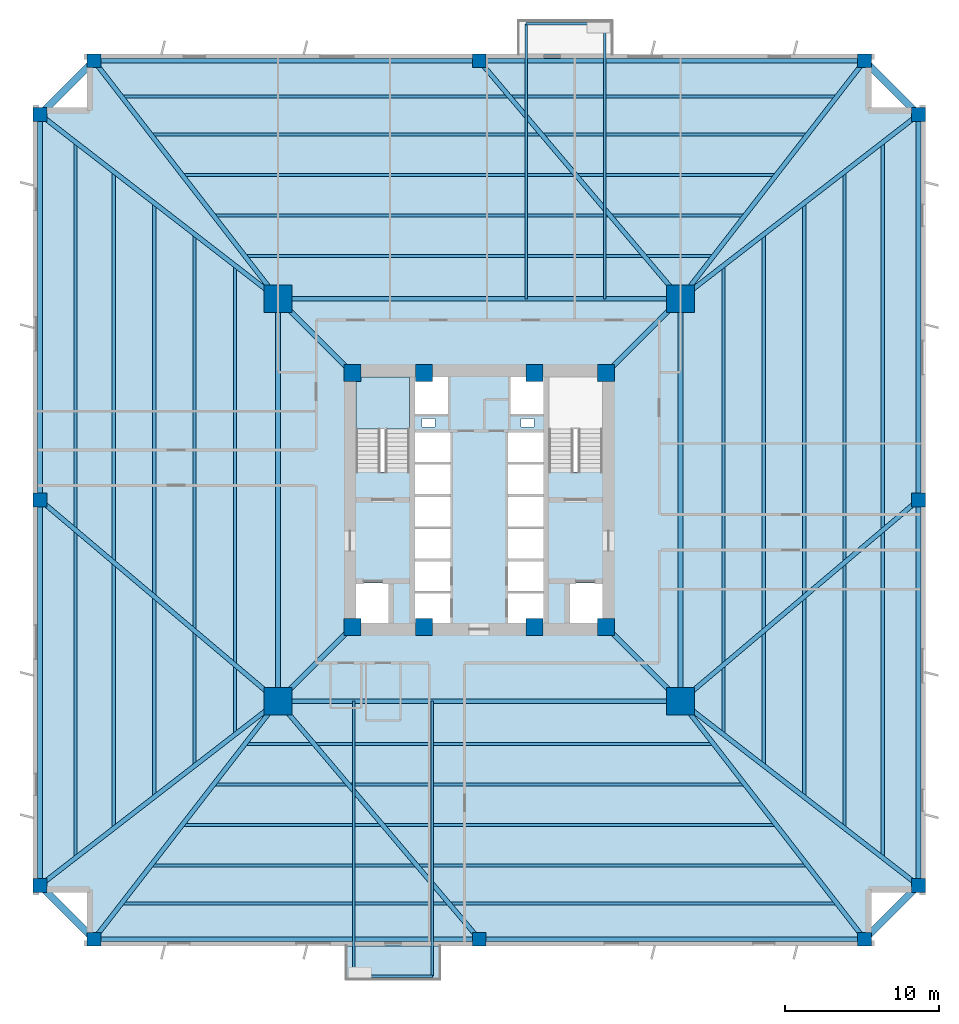
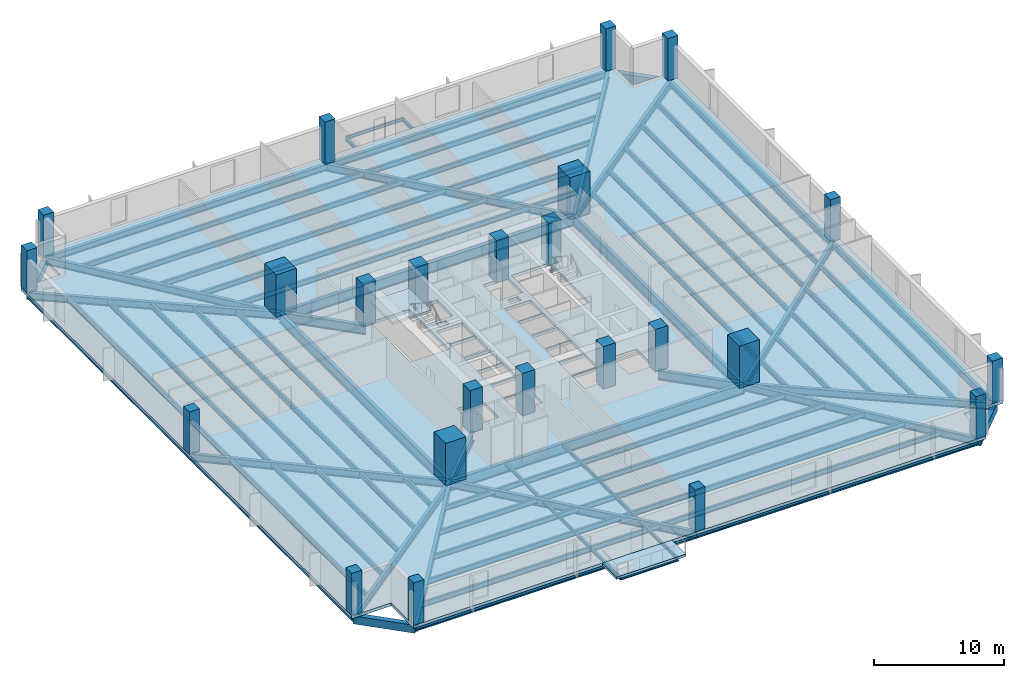
# One storey, part 1 of 8: 58 beams, 24 columns, 3 slabs, 1 element without a shape of its own.
"""IFC4 building model written with IfcOpenShell, lengths in metres."""

from ifc_helpers import new_model, si_unit, direction, frame, origin, origin_2d, place, context, subcontext, project, spatial, polyline, rectangle, i_section, outline, extrude, source, transform, mapped, material, layer, layer_set, material_profile, profile_set, type_object, element, aggregate, save


model = new_model("IFC4")

# Units and contexts
model_context = context("Model", 3, precision=1e-05, world=origin(), true_north=direction((0.0, 1.0)))
body_context = subcontext(model_context, "Body", "Model", "MODEL_VIEW")
ifc_project = project(units=[si_unit("LENGTHUNIT", "METRE"), si_unit("AREAUNIT", "SQUARE_METRE"), si_unit("VOLUMEUNIT", "CUBIC_METRE"), si_unit("PLANEANGLEUNIT", "RADIAN"), si_unit("MASSUNIT", "GRAM", prefix="KILO"), si_unit("THERMODYNAMICTEMPERATUREUNIT", "KELVIN")], contexts=[model_context])

# Site, building, storey
site_placement = place(None, origin())
site = spatial("IfcSite", under=ifc_project, at=site_placement, CompositionType="ELEMENT")
building_placement = place(site_placement, origin())
building = spatial("IfcBuilding", under=site, at=building_placement, Name="Kosmvard Interchange Tower", CompositionType="ELEMENT")
storey_placement = place(building_placement, frame((0.0, 0.0, 42.0)))
storey = spatial("IfcBuildingStorey", under=building, at=storey_placement, Name="L09", CompositionType="ELEMENT", Elevation=42.0)

# Columns
ifc_material_1 = material(Name="Concrete C80/95", Category="concrete")
ifc_material_profile_1 = material_profile(ifc_material_1, rectangle(XDim=1.10009765625, YDim=1.10009765625, at=origin_2d()), Name="CP 1100x1100")
ifc_profile_set_1 = profile_set([ifc_material_profile_1], Name="Concrete C80/95")
column_type_1 = type_object("IfcColumnType", Name="Core Boundary Pilaster 1100x1100 C80/95", PredefinedType="PILASTER", material=ifc_profile_set_1)
shared_shape_1 = source(origin(), body_context, "Body", "SweptSolid", [
    extrude(rectangle(XDim=1.10009765625, YDim=1.10009765625, at=origin_2d()), origin(), (0.0, 0.0, 1.0), 4.0),
])
for number, where, z_axis, x_axis, name in (
    (1, (-8.25, -8.25, 0.0), (0.0, 0.0, 1.0), (1.0, 0.0, 0.0), "L09 Core Pilaster CP1"),
    (2, (8.25, -8.25, 0.0), (0.0, 0.0, 1.0), (1.0, 0.0, 0.0), "L09 Core Pilaster CP2"),
    (3, (8.25, 8.25, 0.0), (0.0, 0.0, 1.0), (1.0, 0.0, 0.0), "L09 Core Pilaster CP3"),
    (4, (-8.25, 8.25, 0.0), (0.0, 0.0, 1.0), (1.0, 0.0, 0.0), "L09 Core Pilaster CP4"),
    (5, (-3.60009765625, -8.25, 0.0), (0.0, 0.0, 1.0), (1.0, 0.0, 0.0), "L09 Core Pilaster CP5"),
    (6, (3.60009765625, -8.25, 0.0), (0.0, 0.0, 1.0), (1.0, 0.0, 0.0), "L09 Core Pilaster CP6"),
    (7, (-3.60009765625, 8.25, 0.0), (0.0, 0.0, 1.0), (1.0, 0.0, 0.0), "L09 Core Pilaster CP7"),
    (8, (3.60009765625, 8.25, 0.0), (0.0, 0.0, 1.0), (1.0, 0.0, 0.0), "L09 Core Pilaster CP8"),
):
    element("IfcColumn", number, at=place(storey_placement, frame(where, z_axis=z_axis, x_axis=x_axis)), inside=storey, type_object=column_type_1, Name=name, PredefinedType="PILASTER", context=body_context, shape_type="MappedRepresentation", body=[
        mapped(shared_shape_1, transform((0.0, 0.0, 0.0), scale=1.0)),
    ])
ifc_material_profile_2 = material_profile(ifc_material_1, rectangle(XDim=1.800048828125, YDim=1.800048828125, at=origin_2d()), Name="MC 1800x1800")
ifc_profile_set_2 = profile_set([ifc_material_profile_2], Name="Concrete C80/95")
column_type_2 = type_object("IfcColumnType", Name="Composite Mega-Column 1800x1800 C80/95", PredefinedType="COLUMN", material=ifc_profile_set_2)
shared_shape_2 = source(origin(), body_context, "Body", "SweptSolid", [
    extrude(rectangle(XDim=1.800048828125, YDim=1.800048828125, at=origin_2d()), origin(), (0.0, 0.0, 1.0), 4.0),
])
for number, where, z_axis, x_axis, name in (
    (9, (-13.0810546875, -13.0810546875, 0.0), (0.0, 0.0, 1.0), (1.0, 0.0, 0.0), "L09 Corner Mega-Column MC1"),
    (10, (13.0810546875, -13.0810546875, 0.0), (0.0, 0.0, 1.0), (1.0, 0.0, 0.0), "L09 Corner Mega-Column MC2"),
    (11, (13.0810546875, 13.0810546875, 0.0), (0.0, 0.0, 1.0), (1.0, 0.0, 0.0), "L09 Corner Mega-Column MC3"),
    (12, (-13.0810546875, 13.0810546875, 0.0), (0.0, 0.0, 1.0), (1.0, 0.0, 0.0), "L09 Corner Mega-Column MC4"),
):
    element("IfcColumn", number, at=place(storey_placement, frame(where, z_axis=z_axis, x_axis=x_axis)), inside=storey, type_object=column_type_2, Name=name, PredefinedType="COLUMN", context=body_context, shape_type="MappedRepresentation", body=[
        mapped(shared_shape_2, transform((0.0, 0.0, 0.0), scale=1.0)),
    ])
ifc_material_2 = material(Name="Concrete C60/75", Category="concrete")
ifc_material_profile_3 = material_profile(ifc_material_2, rectangle(XDim=0.89990234375, YDim=0.89990234375, at=origin_2d()), Name="TC 900x900")
ifc_profile_set_3 = profile_set([ifc_material_profile_3], Name="Concrete C60/75")
column_type_3 = type_object("IfcColumnType", Name="Zone 1 Perimeter Pier Column 900x900 C60/75", PredefinedType="COLUMN", material=ifc_profile_set_3)
shared_shape_3 = source(origin(), body_context, "Body", "SweptSolid", [
    extrude(rectangle(XDim=0.89990234375, YDim=0.89990234375, at=origin_2d()), origin(), (0.0, 0.0, 1.0), 4.0),
])
for number, where, z_axis, x_axis, name in (
    (13, (-25.050048828125, -28.550048828125, 0.0), (0.0, 0.0, 1.0), (1.0, 0.0, 0.0), "L09 Perimeter Pier Column TC-S1"),
    (14, (0.0, -28.550048828125, 0.0), (0.0, 0.0, 1.0), (1.0, 0.0, 0.0), "L09 Perimeter Pier Column TC-S2"),
    (15, (25.050048828125, -28.550048828125, 0.0), (0.0, 0.0, 1.0), (1.0, 0.0, 0.0), "L09 Perimeter Pier Column TC-S3"),
    (16, (28.550048828125, -25.050048828125, 0.0), (0.0, 0.0, 1.0), (1.0, 0.0, 0.0), "L09 Perimeter Pier Column TC-E1"),
    (17, (28.550048828125, 0.0, 0.0), (0.0, 0.0, 1.0), (1.0, 0.0, 0.0), "L09 Perimeter Pier Column TC-E2"),
    (18, (28.550048828125, 25.050048828125, 0.0), (0.0, 0.0, 1.0), (1.0, 0.0, 0.0), "L09 Perimeter Pier Column TC-E3"),
    (19, (25.050048828125, 28.550048828125, 0.0), (0.0, 0.0, 1.0), (1.0, 0.0, 0.0), "L09 Perimeter Pier Column TC-N1"),
    (20, (0.0, 28.550048828125, 0.0), (0.0, 0.0, 1.0), (1.0, 0.0, 0.0), "L09 Perimeter Pier Column TC-N2"),
    (21, (-25.050048828125, 28.550048828125, 0.0), (0.0, 0.0, 1.0), (1.0, 0.0, 0.0), "L09 Perimeter Pier Column TC-N3"),
    (22, (-28.550048828125, 25.050048828125, 0.0), (0.0, 0.0, 1.0), (1.0, 0.0, 0.0), "L09 Perimeter Pier Column TC-W1"),
    (23, (-28.550048828125, 0.0, 0.0), (0.0, 0.0, 1.0), (1.0, 0.0, 0.0), "L09 Perimeter Pier Column TC-W2"),
    (24, (-28.550048828125, -25.050048828125, 0.0), (0.0, 0.0, 1.0), (1.0, 0.0, 0.0), "L09 Perimeter Pier Column TC-W3"),
):
    element("IfcColumn", number, at=place(storey_placement, frame(where, z_axis=z_axis, x_axis=x_axis)), inside=storey, type_object=column_type_3, Name=name, PredefinedType="COLUMN", context=body_context, shape_type="MappedRepresentation", body=[
        mapped(shared_shape_3, transform((0.0, 0.0, 0.0), scale=1.0)),
    ])

# Beams
ifc_material_3 = material(Name="Steel S460", Category="steel")
ifc_material_profile_4 = material_profile(ifc_material_3, i_section(OverallWidth=0.30810546875, OverallDepth=0.909912109375, WebThickness=0.02099609375, FlangeThickness=0.0400390625, FilletRadius=0.027099609375, at=origin_2d()), Name="HEM 900")
ifc_profile_set_4 = profile_set([ifc_material_profile_4], Name="Steel S460")
beam_type_1 = type_object("IfcBeamType", Name="Primary Mega-Frame Girder HEM 900 S460", PredefinedType="BEAM", material=ifc_profile_set_4)
shared_shape_4 = source(origin(), body_context, "Body", "SweptSolid", [
    extrude(i_section(OverallWidth=0.30810546875, OverallDepth=0.909912109375, WebThickness=0.02099609375, FlangeThickness=0.0400390625, FilletRadius=0.027099609375, at=origin_2d()), origin(), (0.0, 0.0, 1.0), 6.83203125),
])
for number, where, z_axis, x_axis, name in (
    (25, (-8.25, -8.25, -0.735107421875), (-0.707106781187, -0.707106781187, 0.0), (0.707106781187, -0.707106781187, 0.0), "L09 Radial Mega-Frame Girder 1"),
    (26, (8.25, -8.25, -0.735107421875), (0.707106781187, -0.707106781187, 0.0), (0.707106781187, 0.707106781187, 0.0), "L09 Radial Mega-Frame Girder 2"),
    (27, (8.25, 8.25, -0.735107421875), (0.707106781187, 0.707106781187, 0.0), (-0.707106781187, 0.707106781187, 0.0), "L09 Radial Mega-Frame Girder 3"),
    (28, (-8.25, 8.25, -0.735107421875), (-0.707106781187, 0.707106781187, 0.0), (-0.707106781187, -0.707106781187, 0.0), "L09 Radial Mega-Frame Girder 4"),
):
    element("IfcBeam", number, at=place(storey_placement, frame(where, z_axis=z_axis, x_axis=x_axis)), inside=storey, type_object=beam_type_1, Name=name, PredefinedType="BEAM", context=body_context, shape_type="MappedRepresentation", body=[
        mapped(shared_shape_4, transform((0.0, 0.0, 0.0), scale=1.0)),
    ])
ifc_material_profile_5 = material_profile(ifc_material_3, i_section(OverallWidth=0.30908203125, OverallDepth=1.008056640625, WebThickness=0.02099609375, FlangeThickness=0.0400390625, FilletRadius=0.030029296875, at=origin_2d()), Name="HEM 1000")
ifc_profile_set_5 = profile_set([ifc_material_profile_5], Name="Steel S460")
beam_type_2 = type_object("IfcBeamType", Name="Mega-Column Ring Girder HEM 1000 S460", PredefinedType="BEAM", material=ifc_profile_set_5)
shared_shape_5 = source(origin(), body_context, "Body", "SweptSolid", [
    extrude(i_section(OverallWidth=0.30908203125, OverallDepth=1.008056640625, WebThickness=0.02099609375, FlangeThickness=0.0400390625, FilletRadius=0.030029296875, at=origin_2d()), origin(), (0.0, 0.0, 1.0), 26.162109375),
])
for number, where, z_axis, x_axis, name in (
    (29, (-13.0810546875, -13.0810546875, -0.783935546875), (1.0, 0.0, 0.0), (0.0, 1.0, 0.0), "L09 Mega-Column Ring Girder 1"),
    (30, (13.0810546875, -13.0810546875, -0.783935546875), (0.0, 1.0, 0.0), (-1.0, 0.0, 0.0), "L09 Mega-Column Ring Girder 2"),
    (31, (13.0810546875, 13.0810546875, -0.783935546875), (-1.0, 0.0, 0.0), (0.0, -1.0, 0.0), "L09 Mega-Column Ring Girder 3"),
    (32, (-13.0810546875, 13.0810546875, -0.783935546875), (0.0, -1.0, 0.0), (1.0, 0.0, 0.0), "L09 Mega-Column Ring Girder 4"),
):
    element("IfcBeam", number, at=place(storey_placement, frame(where, z_axis=z_axis, x_axis=x_axis)), inside=storey, type_object=beam_type_2, Name=name, PredefinedType="BEAM", context=body_context, shape_type="MappedRepresentation", body=[
        mapped(shared_shape_5, transform((0.0, 0.0, 0.0), scale=1.0)),
    ])
ifc_material_4 = material(Name="Steel S355", Category="steel")
ifc_material_profile_6 = material_profile(ifc_material_4, i_section(OverallWidth=0.159912109375, OverallDepth=0.330078125, WebThickness=0.007568359375, FlangeThickness=0.011474609375, FilletRadius=0.01806640625, at=origin_2d()), Name="IPE 330")
ifc_profile_set_6 = profile_set([ifc_material_profile_6], Name="Steel S355")
beam_type_3 = type_object("IfcBeamType", Name="Balcony Cantilever Joist IPE 330 S355", PredefinedType="JOIST", material=ifc_profile_set_6)
shared_shape_6 = source(origin(), body_context, "Body", "SweptSolid", [
    extrude(i_section(OverallWidth=0.159912109375, OverallDepth=0.330078125, WebThickness=0.007568359375, FlangeThickness=0.011474609375, FilletRadius=0.01806640625, at=origin_2d()), origin(), (0.0, 0.0, 1.0), 17.868896484375),
])
for number, where, z_axis, x_axis, name in (
    (33, (8.14990234375, 13.0810546875, -0.445068359375), (0.0, 1.0, 0.0), (-1.0, 0.0, 0.0), "BM-L09-BJ1"),
    (34, (3.050048828125, 13.0810546875, -0.445068359375), (0.0, 1.0, 0.0), (-1.0, 0.0, 0.0), "BM-L09-BJB1"),
    (35, (-8.14990234375, -13.0810546875, -0.445068359375), (0.0, -1.0, 0.0), (1.0, 0.0, 0.0), "BM-L09-BJ2"),
    (36, (-3.050048828125, -13.0810546875, -0.445068359375), (0.0, -1.0, 0.0), (1.0, 0.0, 0.0), "BM-L09-BJB2"),
):
    element("IfcBeam", number, at=place(storey_placement, frame(where, z_axis=z_axis, x_axis=x_axis)), inside=storey, type_object=beam_type_3, Name=name, PredefinedType="JOIST", context=body_context, shape_type="MappedRepresentation", body=[
        mapped(shared_shape_6, transform((0.0, 0.0, 0.0), scale=1.0)),
    ])
ifc_material_profile_7 = material_profile(ifc_material_4, i_section(OverallWidth=0.14990234375, OverallDepth=0.300048828125, WebThickness=0.007080078125, FlangeThickness=0.0107421875, FilletRadius=0.014892578125, at=origin_2d()), Name="IPE 300")
ifc_profile_set_7 = profile_set([ifc_material_profile_7], Name="Steel S355")
beam_type_4 = type_object("IfcBeamType", Name="Balcony Edge Header Joist IPE 300 S355", PredefinedType="JOIST", material=ifc_profile_set_7)
shared_shape_7 = source(origin(), body_context, "Body", "SweptSolid", [
    extrude(i_section(OverallWidth=0.14990234375, OverallDepth=0.300048828125, WebThickness=0.007080078125, FlangeThickness=0.0107421875, FilletRadius=0.014892578125, at=origin_2d()), origin(), (0.0, 0.0, 1.0), 5.099853515625),
])
for number, where, z_axis, x_axis, name in (
    (37, (8.14990234375, 30.949951171875, -0.429931640625), (-1.0, 0.0, 0.0), (0.0, -1.0, 0.0), "BM-L09-BJH1"),
    (38, (-8.14990234375, -30.949951171875, -0.429931640625), (1.0, 0.0, 0.0), (0.0, 1.0, 0.0), "BM-L09-BJH2"),
):
    element("IfcBeam", number, at=place(storey_placement, frame(where, z_axis=z_axis, x_axis=x_axis)), inside=storey, type_object=beam_type_4, Name=name, PredefinedType="JOIST", context=body_context, shape_type="MappedRepresentation", body=[
        mapped(shared_shape_7, transform((0.0, 0.0, 0.0), scale=1.0)),
    ])
ifc_material_profile_8 = material_profile(ifc_material_4, i_section(OverallWidth=0.300048828125, OverallDepth=0.60009765625, WebThickness=0.015380859375, FlangeThickness=0.030029296875, FilletRadius=0.027099609375, at=origin_2d()), Name="HEB 600")
ifc_profile_set_8 = profile_set([ifc_material_profile_8], Name="Steel S355")
beam_type_5 = type_object("IfcBeamType", Name="Perimeter Tie Girder HEB 600 S355", PredefinedType="BEAM", material=ifc_profile_set_8)
shared_shape_8 = source(origin(), body_context, "Body", "SweptSolid", [
    extrude(i_section(OverallWidth=0.300048828125, OverallDepth=0.60009765625, WebThickness=0.015380859375, FlangeThickness=0.030029296875, FilletRadius=0.027099609375, at=origin_2d()), origin(), (0.0, 0.0, 1.0), 25.050048828125),
])
for number, where, z_axis, x_axis, name in (
    (39, (-25.050048828125, -28.550048828125, -0.580078125), (1.0, 0.0, 0.0), (0.0, 1.0, 0.0), "BM-L09-PR01"),
    (40, (0.0, -28.550048828125, -0.580078125), (1.0, 0.0, 0.0), (0.0, 1.0, 0.0), "BM-L09-PR02"),
    (41, (28.550048828125, -25.050048828125, -0.580078125), (0.0, 1.0, 0.0), (-1.0, 0.0, 0.0), "BM-L09-PR04"),
    (42, (28.550048828125, 0.0, -0.580078125), (0.0, 1.0, 0.0), (-1.0, 0.0, 0.0), "BM-L09-PR05"),
    (43, (25.050048828125, 28.550048828125, -0.580078125), (-1.0, 0.0, 0.0), (0.0, -1.0, 0.0), "BM-L09-PR07"),
    (44, (0.0, 28.550048828125, -0.580078125), (-1.0, 0.0, 0.0), (0.0, -1.0, 0.0), "BM-L09-PR08"),
    (45, (-28.550048828125, 25.050048828125, -0.580078125), (0.0, -1.0, 0.0), (1.0, 0.0, 0.0), "BM-L09-PR10"),
    (46, (-28.550048828125, 0.0, -0.580078125), (0.0, -1.0, 0.0), (1.0, 0.0, 0.0), "BM-L09-PR11"),
):
    element("IfcBeam", number, at=place(storey_placement, frame(where, z_axis=z_axis, x_axis=x_axis)), inside=storey, type_object=beam_type_5, Name=name, PredefinedType="BEAM", context=body_context, shape_type="MappedRepresentation", body=[
        mapped(shared_shape_8, transform((0.0, 0.0, 0.0), scale=1.0)),
    ])
ifc_material_profile_9 = material_profile(ifc_material_4, i_section(OverallWidth=0.300048828125, OverallDepth=0.699951171875, WebThickness=0.01708984375, FlangeThickness=0.031982421875, FilletRadius=0.027099609375, at=origin_2d()), Name="HEB 700")
ifc_profile_set_9 = profile_set([ifc_material_profile_9], Name="Steel S355")
beam_type_6 = type_object("IfcBeamType", Name="Primary Floor Girder HEB 700 S355", PredefinedType="BEAM", material=ifc_profile_set_9)
shared_shape_9 = source(origin(), body_context, "Body", "SweptSolid", [
    extrude(i_section(OverallWidth=0.300048828125, OverallDepth=0.699951171875, WebThickness=0.01708984375, FlangeThickness=0.031982421875, FilletRadius=0.027099609375, at=origin_2d()), origin(), (0.0, 0.0, 1.0), 19.558837890625),
])
for number, where, z_axis, x_axis, name in (
    (47, (-13.0810546875, -13.0810546875, -0.6298828125), (-0.611949354357, -0.79089695138, 0.0), (0.79089695138, -0.611949354357, 0.0), "BM-L09-RD01"),
    (48, (13.0810546875, -13.0810546875, -0.6298828125), (0.611949354357, -0.79089695138, 0.0), (0.79089695138, 0.611949354357, 0.0), "BM-L09-RD03"),
    (49, (13.0810546875, -13.0810546875, -0.6298828125), (0.79089695138, -0.611949354357, 0.0), (0.611949354357, 0.79089695138, 0.0), "BM-L09-RD04"),
    (50, (13.0810546875, 13.0810546875, -0.6298828125), (0.79089695138, 0.611949354357, 0.0), (-0.611949354357, 0.79089695138, 0.0), "BM-L09-RD06"),
    (51, (13.0810546875, 13.0810546875, -0.6298828125), (0.611949354357, 0.79089695138, 0.0), (-0.79089695138, 0.611949354357, 0.0), "BM-L09-RD07"),
    (52, (-13.0810546875, 13.0810546875, -0.6298828125), (-0.611949354357, 0.79089695138, 0.0), (-0.79089695138, -0.611949354357, 0.0), "BM-L09-RD09"),
    (53, (-13.0810546875, 13.0810546875, -0.6298828125), (-0.79089695138, 0.611949354357, 0.0), (-0.611949354357, -0.79089695138, 0.0), "BM-L09-RD10"),
    (54, (-13.0810546875, -13.0810546875, -0.6298828125), (-0.79089695138, -0.611949354357, 0.0), (0.611949354357, -0.79089695138, 0.0), "BM-L09-RD12"),
):
    element("IfcBeam", number, at=place(storey_placement, frame(where, z_axis=z_axis, x_axis=x_axis)), inside=storey, type_object=beam_type_6, Name=name, PredefinedType="BEAM", context=body_context, shape_type="MappedRepresentation", body=[
        mapped(shared_shape_9, transform((0.0, 0.0, 0.0), scale=1.0)),
    ])
shared_shape_10 = source(origin(), body_context, "Body", "SweptSolid", [
    extrude(i_section(OverallWidth=0.300048828125, OverallDepth=0.699951171875, WebThickness=0.01708984375, FlangeThickness=0.031982421875, FilletRadius=0.027099609375, at=origin_2d()), origin(), (0.0, 0.0, 1.0), 20.258544921875),
])
for number, where, z_axis, x_axis, name in (
    (55, (-13.0810546875, -13.0810546875, -0.6298828125), (0.645709371734, -0.763583268056, 0.0), (0.763583268056, 0.645709371734, 0.0), "BM-L09-RD02"),
    (56, (13.0810546875, -13.0810546875, -0.6298828125), (0.763583268056, 0.645709371734, 0.0), (-0.645709371734, 0.763583268056, 0.0), "BM-L09-RD05"),
    (57, (13.0810546875, 13.0810546875, -0.6298828125), (-0.645709371734, 0.763583268056, 0.0), (-0.763583268056, -0.645709371734, 0.0), "BM-L09-RD08"),
    (58, (-13.0810546875, -13.0810546875, -0.6298828125), (-0.763583268056, 0.645709371734, 0.0), (-0.645709371734, -0.763583268056, 0.0), "BM-L09-RD11"),
):
    element("IfcBeam", number, at=place(storey_placement, frame(where, z_axis=z_axis, x_axis=x_axis)), inside=storey, type_object=beam_type_6, Name=name, PredefinedType="BEAM", context=body_context, shape_type="MappedRepresentation", body=[
        mapped(shared_shape_10, transform((0.0, 0.0, 0.0), scale=1.0)),
    ])
ifc_material_5 = material(Name="Precast concrete C45/55", Category="concrete")
ifc_material_profile_10 = material_profile(ifc_material_5, rectangle(XDim=0.449951171875, YDim=0.75, at=origin_2d()), Name="SL 450x750")
ifc_profile_set_10 = profile_set([ifc_material_profile_10], Name="Precast concrete C45/55")
beam_type_7 = type_object("IfcBeamType", Name="Precast Spandrel Lintel 450x750 C45/55", PredefinedType="LINTEL", material=ifc_profile_set_10)
shared_shape_11 = source(origin(), body_context, "Body", "SweptSolid", [
    extrude(rectangle(XDim=0.449951171875, YDim=0.75, at=origin_2d()), origin(), (0.0, 0.0, 1.0), 4.94970703125),
])
for number, where, z_axis, x_axis, name in (
    (59, (25.050048828125, -28.550048828125, -0.655029296875), (0.707106781187, 0.707106781187, 0.0), (-0.707106781187, 0.707106781187, 0.0), "BM-L09-SL1"),
    (60, (28.550048828125, 25.050048828125, -0.655029296875), (-0.707106781187, 0.707106781187, 0.0), (-0.707106781187, -0.707106781187, 0.0), "BM-L09-SL2"),
    (61, (-25.050048828125, 28.550048828125, -0.655029296875), (-0.707106781187, -0.707106781187, 0.0), (0.707106781187, -0.707106781187, 0.0), "BM-L09-SL3"),
    (62, (-28.550048828125, -25.050048828125, -0.655029296875), (0.707106781187, -0.707106781187, 0.0), (0.707106781187, 0.707106781187, 0.0), "BM-L09-SL4"),
):
    element("IfcBeam", number, at=place(storey_placement, frame(where, z_axis=z_axis, x_axis=x_axis)), inside=storey, type_object=beam_type_7, Name=name, PredefinedType="LINTEL", context=body_context, shape_type="MappedRepresentation", body=[
        mapped(shared_shape_11, transform((0.0, 0.0, 0.0), scale=1.0)),
    ])
ifc_material_profile_11 = material_profile(ifc_material_4, i_section(OverallWidth=0.199951171875, OverallDepth=0.5, WebThickness=0.01025390625, FlangeThickness=0.01611328125, FilletRadius=0.02099609375, at=origin_2d()), Name="IPE 500")
ifc_profile_set_11 = profile_set([ifc_material_profile_11], Name="Steel S355")
beam_type_8 = type_object("IfcBeamType", Name="Standard Floor Joist IPE 500 S355", PredefinedType="JOIST", material=ifc_profile_set_11)
shared_shape_12 = source(origin(), body_context, "Body", "SweptSolid", [
    extrude(i_section(OverallWidth=0.199951171875, OverallDepth=0.5, WebThickness=0.01025390625, FlangeThickness=0.01611328125, FilletRadius=0.02099609375, at=origin_2d()), origin(), (0.0, 0.0, 1.0), 30.31103515625),
])
for number, where, z_axis, x_axis, name in (
    (63, (-15.155517578125, -15.865478515625, -0.530029296875), (1.0, 0.0, 0.0), (0.0, 1.0, 0.0), "BM-L09-FJ01"),
    (64, (15.865478515625, -15.155517578125, -0.530029296875), (0.0, 1.0, 0.0), (-1.0, 0.0, 0.0), "BM-L09-FJ06"),
    (65, (15.155517578125, 15.865478515625, -0.530029296875), (-1.0, 0.0, 0.0), (0.0, -1.0, 0.0), "BM-L09-FJ11"),
    (66, (-15.865478515625, 15.155517578125, -0.530029296875), (0.0, -1.0, 0.0), (1.0, 0.0, 0.0), "BM-L09-FJ16"),
):
    element("IfcBeam", number, at=place(storey_placement, frame(where, z_axis=z_axis, x_axis=x_axis)), inside=storey, type_object=beam_type_8, Name=name, PredefinedType="JOIST", context=body_context, shape_type="MappedRepresentation", body=[
        mapped(shared_shape_12, transform((0.0, 0.0, 0.0), scale=1.0)),
    ])
shared_shape_13 = source(origin(), body_context, "Body", "SweptSolid", [
    extrude(i_section(OverallWidth=0.199951171875, OverallDepth=0.5, WebThickness=0.01025390625, FlangeThickness=0.01611328125, FilletRadius=0.02099609375, at=origin_2d()), origin(), (0.0, 0.0, 1.0), 34.38037109375),
])
for number, where, z_axis, x_axis, name in (
    (67, (-17.190185546875, -18.4951171875, -0.530029296875), (1.0, 0.0, 0.0), (0.0, 1.0, 0.0), "BM-L09-FJ02"),
    (68, (18.4951171875, -17.190185546875, -0.530029296875), (0.0, 1.0, 0.0), (-1.0, 0.0, 0.0), "BM-L09-FJ07"),
    (69, (17.190185546875, 18.4951171875, -0.530029296875), (-1.0, 0.0, 0.0), (0.0, -1.0, 0.0), "BM-L09-FJ12"),
    (70, (-18.4951171875, 17.190185546875, -0.530029296875), (0.0, -1.0, 0.0), (1.0, 0.0, 0.0), "BM-L09-FJ17"),
):
    element("IfcBeam", number, at=place(storey_placement, frame(where, z_axis=z_axis, x_axis=x_axis)), inside=storey, type_object=beam_type_8, Name=name, PredefinedType="JOIST", context=body_context, shape_type="MappedRepresentation", body=[
        mapped(shared_shape_13, transform((0.0, 0.0, 0.0), scale=1.0)),
    ])
shared_shape_14 = source(origin(), body_context, "Body", "SweptSolid", [
    extrude(i_section(OverallWidth=0.199951171875, OverallDepth=0.5, WebThickness=0.01025390625, FlangeThickness=0.01611328125, FilletRadius=0.02099609375, at=origin_2d()), origin(), (0.0, 0.0, 1.0), 38.44970703125),
])
for number, where, z_axis, x_axis, name in (
    (71, (-19.224853515625, -21.125, -0.530029296875), (1.0, 0.0, 0.0), (0.0, 1.0, 0.0), "BM-L09-FJ03"),
    (72, (21.125, -19.224853515625, -0.530029296875), (0.0, 1.0, 0.0), (-1.0, 0.0, 0.0), "BM-L09-FJ08"),
    (73, (19.224853515625, 21.125, -0.530029296875), (-1.0, 0.0, 0.0), (0.0, -1.0, 0.0), "BM-L09-FJ13"),
    (74, (-21.125, 19.224853515625, -0.530029296875), (0.0, -1.0, 0.0), (1.0, 0.0, 0.0), "BM-L09-FJ18"),
):
    element("IfcBeam", number, at=place(storey_placement, frame(where, z_axis=z_axis, x_axis=x_axis)), inside=storey, type_object=beam_type_8, Name=name, PredefinedType="JOIST", context=body_context, shape_type="MappedRepresentation", body=[
        mapped(shared_shape_14, transform((0.0, 0.0, 0.0), scale=1.0)),
    ])
shared_shape_15 = source(origin(), body_context, "Body", "SweptSolid", [
    extrude(i_section(OverallWidth=0.199951171875, OverallDepth=0.5, WebThickness=0.01025390625, FlangeThickness=0.01611328125, FilletRadius=0.02099609375, at=origin_2d()), origin(), (0.0, 0.0, 1.0), 42.51904296875),
])
for number, where, z_axis, x_axis, name in (
    (75, (-21.259521484375, -23.754638671875, -0.530029296875), (1.0, 0.0, 0.0), (0.0, 1.0, 0.0), "BM-L09-FJ04"),
    (76, (23.754638671875, -21.259521484375, -0.530029296875), (0.0, 1.0, 0.0), (-1.0, 0.0, 0.0), "BM-L09-FJ09"),
    (77, (21.259521484375, 23.754638671875, -0.530029296875), (-1.0, 0.0, 0.0), (0.0, -1.0, 0.0), "BM-L09-FJ14"),
    (78, (-23.754638671875, 21.259521484375, -0.530029296875), (0.0, -1.0, 0.0), (1.0, 0.0, 0.0), "BM-L09-FJ19"),
):
    element("IfcBeam", number, at=place(storey_placement, frame(where, z_axis=z_axis, x_axis=x_axis)), inside=storey, type_object=beam_type_8, Name=name, PredefinedType="JOIST", context=body_context, shape_type="MappedRepresentation", body=[
        mapped(shared_shape_15, transform((0.0, 0.0, 0.0), scale=1.0)),
    ])
shared_shape_16 = source(origin(), body_context, "Body", "SweptSolid", [
    extrude(i_section(OverallWidth=0.199951171875, OverallDepth=0.5, WebThickness=0.01025390625, FlangeThickness=0.01611328125, FilletRadius=0.02099609375, at=origin_2d()), origin(), (0.0, 0.0, 1.0), 46.34912109375),
])
for number, where, z_axis, x_axis, name in (
    (79, (-23.174560546875, -26.229736328125, -0.530029296875), (1.0, 0.0, 0.0), (0.0, 1.0, 0.0), "BM-L09-FJ05"),
    (80, (26.229736328125, -23.174560546875, -0.530029296875), (0.0, 1.0, 0.0), (-1.0, 0.0, 0.0), "BM-L09-FJ10"),
    (81, (23.174560546875, 26.229736328125, -0.530029296875), (-1.0, 0.0, 0.0), (0.0, -1.0, 0.0), "BM-L09-FJ15"),
    (82, (-26.229736328125, 23.174560546875, -0.530029296875), (0.0, -1.0, 0.0), (1.0, 0.0, 0.0), "BM-L09-FJ20"),
):
    element("IfcBeam", number, at=place(storey_placement, frame(where, z_axis=z_axis, x_axis=x_axis)), inside=storey, type_object=beam_type_8, Name=name, PredefinedType="JOIST", context=body_context, shape_type="MappedRepresentation", body=[
        mapped(shared_shape_16, transform((0.0, 0.0, 0.0), scale=1.0)),
    ])

# Slab
ifc_material_6 = material(Name="Concrete C50/60", Category="concrete")
ifc_layer_1 = layer(ifc_material_6, 0.280029296875, Name="Concrete C50/60")
ifc_layer_set_1 = layer_set([ifc_layer_1], Name="Concrete C50/60")
slab_type_1 = type_object("IfcSlabType", Name="Low-Rise Office Composite Slab 280 C50/60", PredefinedType="FLOOR", material=ifc_layer_set_1)
slab_1_placement = place(storey_placement, frame((0.0, 0.0, -0.280029296875)))
element("IfcSlab", 83, at=slab_1_placement, inside=storey, type_object=slab_type_1, Name="L09 Structural Floor Slab", PredefinedType="FLOOR", context=body_context, shape_type="SweptSolid", body=[
    extrude(outline(polyline([(-25.5, -29.0), (25.5, -29.0), (25.5, -25.5), (29.0, -25.5), (29.0, 25.5), (25.5, 25.5), (25.5, 29.0), (-25.5, 29.0), (-25.5, 25.5), (-29.0, 25.5), (-29.0, -25.5), (-25.5, -25.5), (-25.5, -29.0)]), holes=[polyline([(-8.0, 1.8349609375), (-4.5400390625, 1.8349609375), (-4.5400390625, 8.0), (-8.0, 8.0), (-8.0, 1.8349609375)]), polyline([(4.5400390625, 1.8349609375), (8.0, 1.8349609375), (8.0, 8.0), (4.5400390625, 8.0), (4.5400390625, 1.8349609375)]), polyline([(-8.0, -8.0), (-5.800048828125, -8.0), (-5.800048828125, -5.39990234375), (-8.0, -5.39990234375), (-8.0, -8.0)]), polyline([(5.800048828125, -8.0), (8.0, -8.0), (8.0, -5.39990234375), (5.800048828125, -5.39990234375), (5.800048828125, -8.0)]), polyline([(-4.179931640625, -8.0), (-1.8798828125, -8.0), (-1.8798828125, -6.06005859375), (-4.179931640625, -6.06005859375), (-4.179931640625, -8.0)]), polyline([(-4.179931640625, -5.93994140625), (-1.8798828125, -5.93994140625), (-1.8798828125, -4.0), (-4.179931640625, -4.0), (-4.179931640625, -5.93994140625)]), polyline([(1.8798828125, -8.0), (4.179931640625, -8.0), (4.179931640625, -6.06005859375), (1.8798828125, -6.06005859375), (1.8798828125, -8.0)]), polyline([(1.8798828125, -5.93994140625), (4.179931640625, -5.93994140625), (4.179931640625, -4.0), (1.8798828125, -4.0), (1.8798828125, -5.93994140625)]), polyline([(-4.179931640625, -3.800048828125), (-1.8798828125, -3.800048828125), (-1.8798828125, -1.860107421875), (-4.179931640625, -1.860107421875), (-4.179931640625, -3.800048828125)]), polyline([(-4.179931640625, -1.739990234375), (-1.8798828125, -1.739990234375), (-1.8798828125, 0.199951171875), (-4.179931640625, 0.199951171875), (-4.179931640625, -1.739990234375)]), polyline([(1.8798828125, -3.800048828125), (4.179931640625, -3.800048828125), (4.179931640625, -1.860107421875), (1.8798828125, -1.860107421875), (1.8798828125, -3.800048828125)]), polyline([(1.8798828125, -1.739990234375), (4.179931640625, -1.739990234375), (4.179931640625, 0.199951171875), (1.8798828125, 0.199951171875), (1.8798828125, -1.739990234375)]), polyline([(-4.179931640625, 0.39990234375), (-1.8798828125, 0.39990234375), (-1.8798828125, 2.340087890625), (-4.179931640625, 2.340087890625), (-4.179931640625, 0.39990234375)]), polyline([(-4.179931640625, 2.4599609375), (-1.8798828125, 2.4599609375), (-1.8798828125, 4.39990234375), (-4.179931640625, 4.39990234375), (-4.179931640625, 2.4599609375)]), polyline([(1.8798828125, 0.39990234375), (4.179931640625, 0.39990234375), (4.179931640625, 2.340087890625), (1.8798828125, 2.340087890625), (1.8798828125, 0.39990234375)]), polyline([(1.8798828125, 2.4599609375), (4.179931640625, 2.4599609375), (4.179931640625, 4.39990234375), (1.8798828125, 4.39990234375), (1.8798828125, 2.4599609375)]), polyline([(-4.179931640625, 5.60009765625), (-2.0400390625, 5.60009765625), (-2.0400390625, 8.0), (-4.179931640625, 8.0), (-4.179931640625, 5.60009765625)]), polyline([(2.0400390625, 5.60009765625), (4.179931640625, 5.60009765625), (4.179931640625, 8.0), (2.0400390625, 8.0), (2.0400390625, 5.60009765625)]), polyline([(-3.715087890625, 4.739990234375), (-2.864990234375, 4.739990234375), (-2.864990234375, 5.2900390625), (-3.715087890625, 5.2900390625), (-3.715087890625, 4.739990234375)]), polyline([(2.715087890625, 4.739990234375), (3.56494140625, 4.739990234375), (3.56494140625, 5.2900390625), (2.715087890625, 5.2900390625), (2.715087890625, 4.739990234375)])]), origin(), (0.0, 0.0, 1.0), 0.280029296875),
])

# Stair, slab
stair_type = type_object("IfcStairType", Name="Dog-Leg Core Exit Stair H4000 C50/60", PredefinedType="HALF_TURN_STAIR", material=ifc_material_6)
stair_placement = place(storey_placement, origin())
stair = element("IfcStair", 84, at=stair_placement, inside=storey, type_object=stair_type, Name="L09 Protected Exit Stair ST-1", PredefinedType="HALF_TURN_STAIR")
ifc_layer_2 = layer(ifc_material_6, 0.199951171875, Name="Concrete C50/60")
ifc_layer_set_2 = layer_set([ifc_layer_2], Name="Concrete C50/60")
slab_type_2 = type_object("IfcSlabType", Name="Stair Half-Landing Slab 200 C50/60", PredefinedType="LANDING", material=ifc_layer_set_2)
slab_2_placement = place(storey_placement, frame((0.0, 0.0, 1.800048828125)))
slab_2 = element("IfcSlab", 85, at=slab_2_placement, type_object=slab_type_2, Name="ST-1 landing 1", PredefinedType="LANDING", context=body_context, shape_type="SweptSolid", body=[
    extrude(outline(polyline([(-4.5400390625, 4.60009765625), (-4.5400390625, 8.0), (-8.0, 8.0), (-8.0, 4.60009765625), (-4.5400390625, 4.60009765625)])), origin(), (0.0, 0.0, 1.0), 0.199951171875),
])
aggregate(stair, [slab_2])

# Slab
ifc_layer_3 = layer(ifc_material_6, 0.22998046875, Name="Concrete C50/60")
ifc_layer_set_3 = layer_set([ifc_layer_3], Name="Concrete C50/60")
slab_type_3 = type_object("IfcSlabType", Name="Tree-Planter Cantilever Balcony Slab 230 C50/60", PredefinedType="FLOOR", material=ifc_layer_set_3)
slab_3_placement = place(storey_placement, frame((0.0, 0.0, -0.22998046875)))
element("IfcSlab", 86, at=slab_3_placement, inside=storey, type_object=slab_type_3, Name="L09 Outdoor Terrace Balcony Slab BAL-L09-S", PredefinedType="FLOOR", context=body_context, shape_type="SweptSolid", body=[
    extrude(outline(polyline([(-8.699951171875, -31.199951171875), (-2.5, -31.199951171875), (-2.5, -29.0), (-8.699951171875, -29.0), (-8.699951171875, -31.199951171875)])), origin(), (0.0, 0.0, 1.0), 0.22998046875),
])

save(model, "model.ifc")
